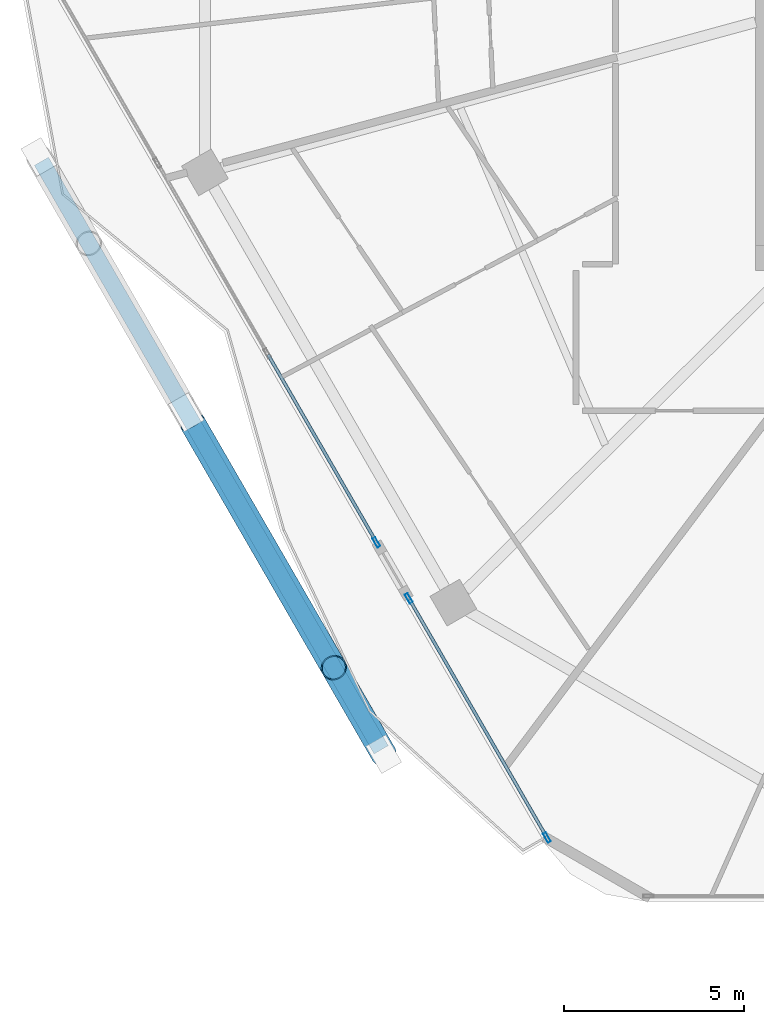
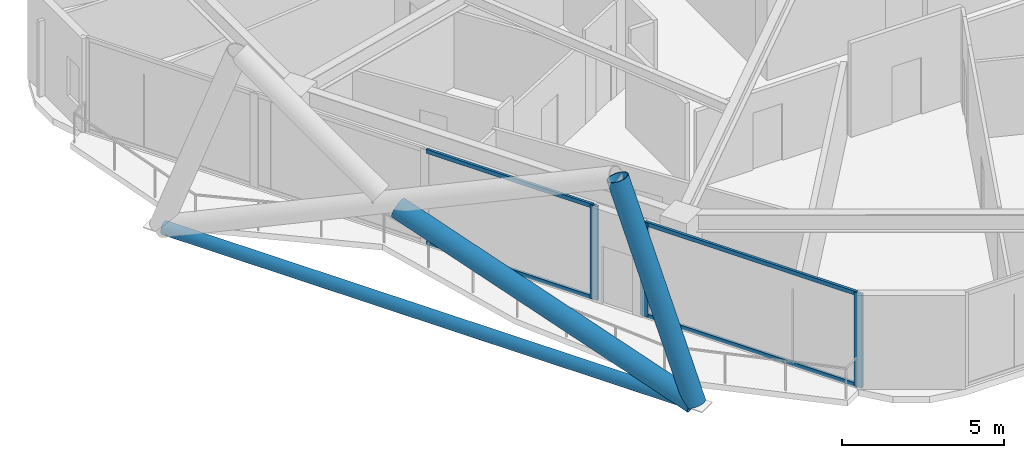
# One storey, part 2 of 29: 10 members, 2 elements without a shape of their own.
"""IFC4 building model written with IfcOpenShell, lengths in metres."""

from ifc_helpers import new_model, si_unit, direction, frame, origin, origin_2d, place, context, subcontext, project, spatial, hollow_rectangle, hollow_circle, extrude, material, material_profile, profile_set, type_object, element, aggregate, save


model = new_model("IFC4")

# Units and contexts
model_context = context("Model", 3, precision=1e-05, world=origin(), true_north=direction((0.0, 1.0)))
body_context = subcontext(model_context, "Body", "Model", "MODEL_VIEW")
ifc_project = project(units=[si_unit("LENGTHUNIT", "METRE"), si_unit("AREAUNIT", "SQUARE_METRE"), si_unit("VOLUMEUNIT", "CUBIC_METRE"), si_unit("PLANEANGLEUNIT", "RADIAN"), si_unit("MASSUNIT", "GRAM", prefix="KILO")], contexts=[model_context])

# Site, building, storey
site_placement = place(None, origin())
site = spatial("IfcSite", under=ifc_project, at=site_placement, CompositionType="ELEMENT")
building_placement = place(site_placement, origin())
building = spatial("IfcBuilding", under=site, at=building_placement, Name="Zuhravey Tower", CompositionType="ELEMENT")
storey_placement = place(building_placement, frame((0.0, 0.0, 192.199951171875)))
storey = spatial("IfcBuildingStorey", under=building, at=storey_placement, Name="L48", CompositionType="ELEMENT", Elevation=192.199951171875)

# Curtain wall, members
ifc_material_1 = material(Name="Thermally broken anodised aluminium", Category="aluminium")
curtain_wall_type = type_object("IfcCurtainWallType", Name="Zone 1-2 Residential Curtain Wall CW3", PredefinedType="NOTDEFINED", material=ifc_material_1)
curtain_wall_1_placement = place(storey_placement, origin())
curtain_wall_1 = element("IfcCurtainWall", 1, at=curtain_wall_1_placement, inside=storey, type_object=curtain_wall_type, Name="L48 CW3 CW-L48-F4-1", PredefinedType="NOTDEFINED")
ifc_material_2 = material(Name="Anodised aluminium", Category="aluminium")
ifc_material_profile_1 = material_profile(ifc_material_2, hollow_rectangle(XDim=0.090087890625, YDim=0.284912109375, WallThickness=0.0048828125, at=origin_2d()), Name="ALU-RHS-90x285x5")
ifc_profile_set_1 = profile_set([ifc_material_profile_1], Name="Anodised aluminium")
member_type_1 = type_object("IfcMemberType", Name="Curtain-Wall Mullion 90x180", PredefinedType="MULLION", material=ifc_profile_set_1)
member_1_placement = place(storey_placement, frame((19.36669921875, 6.443359375, 0.0), z_axis=(0.0, 0.0, 1.0), x_axis=(-0.866023481027, -0.500003330298, 0.0)))
member_1 = element("IfcMember", 2, at=member_1_placement, type_object=member_type_1, Name="CW3 mullion 1", PredefinedType="MULLION", context=body_context, shape_type="SweptSolid", body=[
    extrude(hollow_rectangle(XDim=0.090087890625, YDim=0.284912109375, WallThickness=0.0048828125, at=origin_2d()), origin(), (0.0, 0.0, 1.0), 3.550048828125),
])
member_2_placement = place(storey_placement, frame((15.538818359375, 13.073486328125, 0.0), z_axis=(0.0, 0.0, 1.0), x_axis=(-0.866023481027, -0.500003330298, 0.0)))
member_2 = element("IfcMember", 3, at=member_2_placement, type_object=member_type_1, Name="CW3 mullion 2", PredefinedType="MULLION", context=body_context, shape_type="SweptSolid", body=[
    extrude(hollow_rectangle(XDim=0.090087890625, YDim=0.284912109375, WallThickness=0.0048828125, at=origin_2d()), origin(), (0.0, 0.0, 1.0), 3.550048828125),
])

# Curtain wall, member
curtain_wall_2_placement = place(storey_placement, origin())
curtain_wall_2 = element("IfcCurtainWall", 4, at=curtain_wall_2_placement, inside=storey, type_object=curtain_wall_type, Name="L48 CW3 CW-L48-F4-2", PredefinedType="NOTDEFINED")
member_3_placement = place(storey_placement, frame((14.643798828125, 14.62353515625, 0.0), z_axis=(0.0, 0.0, 1.0), x_axis=(-0.866026406579, -0.499998263105, 0.0)))
member_3 = element("IfcMember", 5, at=member_3_placement, type_object=member_type_1, Name="CW3 mullion 1", PredefinedType="MULLION", context=body_context, shape_type="SweptSolid", body=[
    extrude(hollow_rectangle(XDim=0.090087890625, YDim=0.284912109375, WallThickness=0.0048828125, at=origin_2d()), origin(), (0.0, 0.0, 1.0), 3.550048828125),
])

# Member
ifc_material_profile_2 = material_profile(ifc_material_2, hollow_rectangle(XDim=0.090087890625, YDim=0.14990234375, WallThickness=0.0048828125, at=origin_2d()), Name="ALU-RHS-90x150x5")
ifc_profile_set_2 = profile_set([ifc_material_profile_2], Name="Anodised aluminium")
member_type_2 = type_object("IfcMemberType", Name="Curtain-Wall Transom 90x150", PredefinedType="USERDEFINED", material=ifc_profile_set_2)
member_4_placement = place(storey_placement, frame((19.34423828125, 6.482421875, 0.045166015625), z_axis=(-0.500015751279, 0.866016309588, 0.0), x_axis=(-0.866016309588, -0.500015751279, 0.0)))
member_4 = element("IfcMember", 6, at=member_4_placement, type_object=member_type_2, Name="CW3 transom 1.1", ObjectType="TRANSOM", PredefinedType="USERDEFINED", context=body_context, shape_type="SweptSolid", body=[
    extrude(hollow_rectangle(XDim=0.090087890625, YDim=0.14990234375, WallThickness=0.0048828125, at=origin_2d()), origin(), (0.0, 0.0, 1.0), 7.565673828125),
])

member_5_placement = place(storey_placement, frame((19.34423828125, 6.482421875, 3.505126953125), z_axis=(-0.500015751279, 0.866016309588, 0.0), x_axis=(-0.866016309588, -0.500015751279, 0.0)))
member_5 = element("IfcMember", 7, at=member_5_placement, type_object=member_type_2, Name="CW3 transom 1.2", ObjectType="TRANSOM", PredefinedType="USERDEFINED", context=body_context, shape_type="SweptSolid", body=[
    extrude(hollow_rectangle(XDim=0.090087890625, YDim=0.14990234375, WallThickness=0.0048828125, at=origin_2d()), origin(), (0.0, 0.0, 1.0), 7.565673828125),
])

aggregate(curtain_wall_1, [member_1, member_2, member_4, member_5])

member_6_placement = place(storey_placement, frame((14.621337890625, 14.66259765625, 0.045166015625), z_axis=(-0.500000352308, 0.866025200379, 0.0), x_axis=(-0.866025200379, -0.500000352308, 0.0)))
member_6 = element("IfcMember", 8, at=member_6_placement, type_object=member_type_2, Name="CW3 transom 1.1", ObjectType="TRANSOM", PredefinedType="USERDEFINED", context=body_context, shape_type="SweptSolid", body=[
    extrude(hollow_rectangle(XDim=0.090087890625, YDim=0.14990234375, WallThickness=0.0048828125, at=origin_2d()), origin(), (0.0, 0.0, 1.0), 5.95703125),
])

member_7_placement = place(storey_placement, frame((14.621337890625, 14.66259765625, 3.505126953125), z_axis=(-0.500000352308, 0.866025200379, 0.0), x_axis=(-0.866025200379, -0.500000352308, 0.0)))
member_7 = element("IfcMember", 9, at=member_7_placement, type_object=member_type_2, Name="CW3 transom 1.2", ObjectType="TRANSOM", PredefinedType="USERDEFINED", context=body_context, shape_type="SweptSolid", body=[
    extrude(hollow_rectangle(XDim=0.090087890625, YDim=0.14990234375, WallThickness=0.0048828125, at=origin_2d()), origin(), (0.0, 0.0, 1.0), 5.95703125),
])

aggregate(curtain_wall_2, [member_3, member_6, member_7])

# Members
ifc_material_3 = material(Name="Steel SM355", Category="steel")
ifc_material_profile_3 = material_profile(ifc_material_3, hollow_circle(Radius=0.228515625, WallThickness=0.02197265625, at=origin_2d()), Name="CHS-457.2x22")
ifc_profile_set_3 = profile_set([ifc_material_profile_3], Name="Steel SM355")
member_type_3 = type_object("IfcMemberType", Name="Exoskeleton Ring Tie CHS457x22", PredefinedType="CHORD", material=ifc_profile_set_3)
member_8_placement = place(storey_placement, frame((5.361083984375, 25.18212890625, -0.4638671875), z_axis=(0.499989194203, -0.866031642424, 0.0), x_axis=(0.866031642424, 0.499989194203, 0.0)))
element("IfcMember", 10, at=member_8_placement, inside=storey, type_object=member_type_3, Name="L48 Exoskeleton Face 4 Tie EXR1", PredefinedType="CHORD", context=body_context, shape_type="SweptSolid", body=[
    extrude(hollow_circle(Radius=0.228515625, WallThickness=0.02197265625, at=origin_2d()), origin(), (0.0, 0.0, 1.0), 18.830078125),
])
ifc_material_4 = material(Name="Steel SM460", Category="steel")
ifc_material_profile_4 = material_profile(ifc_material_4, hollow_circle(Radius=0.355712890625, WallThickness=0.031982421875, at=origin_2d()), Name="CHS-711.2x32")
ifc_profile_set_4 = profile_set([ifc_material_profile_4], Name="Steel SM460")
member_type_4 = type_object("IfcMemberType", Name="Exoskeleton Zone 2 Diagrid CHS711x32", PredefinedType="BRACE", material=ifc_profile_set_4)
member_9_placement = place(storey_placement, frame((14.84228515625, 8.760009765625, -0.44384765625), z_axis=(-0.171433802544, 0.296937543674, 0.939382002437), x_axis=(-0.866029404905, -0.499993069792, 0.0)))
element("IfcMember", 11, at=member_9_placement, inside=storey, type_object=member_type_4, Name="L48 Face 4 Diagrid Brace 4", PredefinedType="BRACE", context=body_context, shape_type="SweptSolid", body=[
    extrude(hollow_circle(Radius=0.355712890625, WallThickness=0.031982421875, at=origin_2d()), origin(), (0.0, 0.0, 1.0), 8.047607421875),
])
member_10_placement = place(storey_placement, frame((14.82373046875, 8.79248046875, -0.448486328125), z_axis=(-0.472345150126, 0.818084346156, 0.32806716039), x_axis=(-0.866014433275, -0.500019000998, 0.0)))
element("IfcMember", 12, at=member_10_placement, inside=storey, type_object=member_type_4, Name="L48 Face 4 Split Diagrid Brace 3A", PredefinedType="BRACE", context=body_context, shape_type="SweptSolid", body=[
    extrude(hollow_circle(Radius=0.355712890625, WallThickness=0.031982421875, at=origin_2d()), origin(), (0.0, 0.0, 1.0), 11.190185546875),
])

save(model, "model.ifc")
